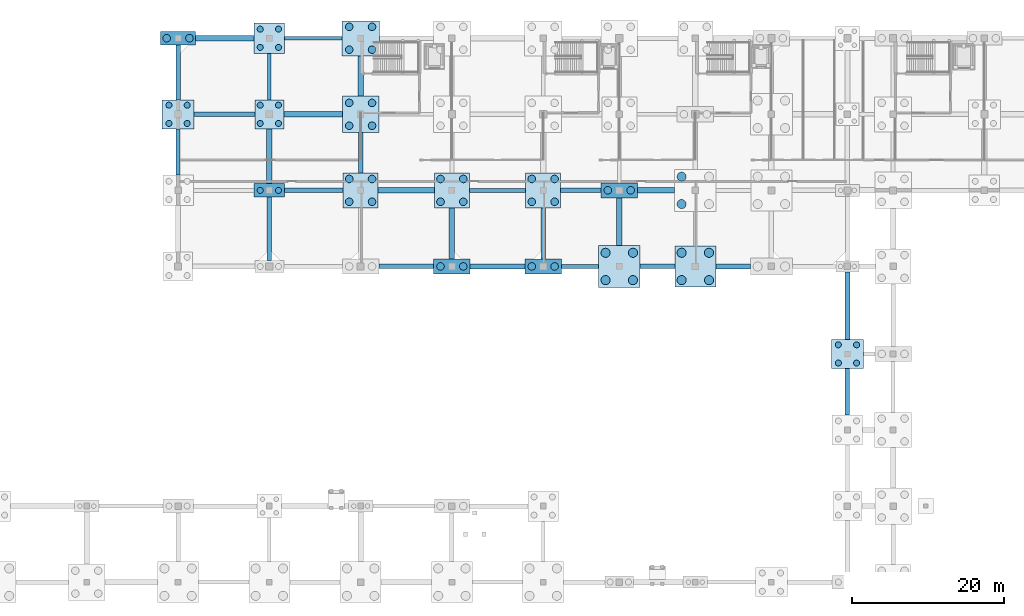
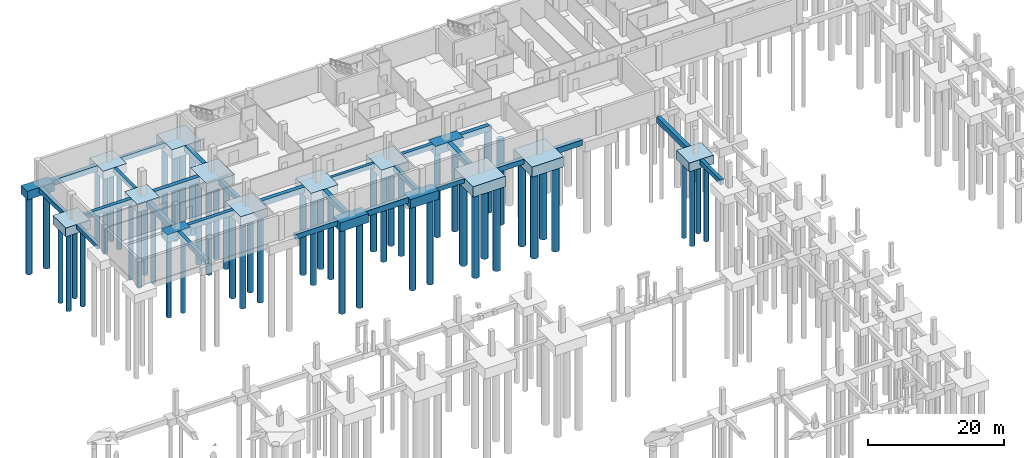
# One storey, part 4 of 19: 56 piles, 42 footings.
"""IFC4 building model written with IfcOpenShell, lengths in metres."""

from ifc_helpers import new_model, si_unit, direction, frame, origin, origin_2d, place, context, subcontext, project, spatial, polyline, rectangle, circle, outline, extrude, material, material_profile, profile_set, type_object, element, save


model = new_model("IFC4")

# Units and contexts
model_context = context("Model", 3, precision=1e-05, world=origin(), true_north=direction((0.0, 1.0)))
body_context = subcontext(model_context, "Body", "Model", "MODEL_VIEW")
ifc_project = project(units=[si_unit("LENGTHUNIT", "METRE"), si_unit("AREAUNIT", "SQUARE_METRE"), si_unit("VOLUMEUNIT", "CUBIC_METRE"), si_unit("PLANEANGLEUNIT", "RADIAN"), si_unit("MASSUNIT", "GRAM", prefix="KILO")], contexts=[model_context])

# Site, building, storey
site_placement = place(None, origin())
site = spatial("IfcSite", under=ifc_project, at=site_placement, CompositionType="ELEMENT")
building_placement = place(site_placement, origin())
building = spatial("IfcBuilding", under=site, at=building_placement, Name="Mersad Railyard Sports Hall", CompositionType="ELEMENT")
storey_placement = place(building_placement, frame((0.0, 0.0, -4.5)))
storey = spatial("IfcBuildingStorey", under=building, at=storey_placement, Name="B1", CompositionType="ELEMENT", Elevation=-4.5)

# Footings
ifc_material = material(Name="Concrete C40/50", Category="concrete")
footing_type_1 = type_object("IfcFootingType", Name="STR-FT-FB01", PredefinedType="FOOTING_BEAM", material=ifc_material)
footing_1_placement = place(storey_placement, frame((0.0, 0.0, -0.800048828125)))
element("IfcFooting", 1, at=footing_1_placement, inside=storey, type_object=footing_type_1, Name="Ground beam FB01-0061", PredefinedType="FOOTING_BEAM", context=body_context, shape_type="SweptSolid", body=[
    extrude(outline(polyline([(93.39990234375, 84.75), (98.25, 84.75), (98.25, 85.25), (93.39990234375, 85.25), (93.39990234375, 84.75)])), origin(), (0.0, 0.0, 1.0), 0.800048828125),
])
footing_2_placement = place(storey_placement, frame((0.0, 0.0, -0.800048828125)))
element("IfcFooting", 2, at=footing_2_placement, inside=storey, type_object=footing_type_1, Name="Ground beam FB01-0070", PredefinedType="FOOTING_BEAM", context=body_context, shape_type="SweptSolid", body=[
    extrude(outline(polyline([(81.300048828125, 94.75), (88.699951171875, 94.75), (88.699951171875, 95.25), (81.300048828125, 95.25), (81.300048828125, 94.75)])), origin(), (0.0, 0.0, 1.0), 0.800048828125),
])
footing_3_placement = place(storey_placement, frame((0.0, 0.0, -0.800048828125)))
element("IfcFooting", 3, at=footing_3_placement, inside=storey, type_object=footing_type_1, Name="Ground beam FB01-0094", PredefinedType="FOOTING_BEAM", context=body_context, shape_type="SweptSolid", body=[
    extrude(outline(polyline([(57.0, 114.75), (64.550048828125, 114.75), (64.550048828125, 115.25), (57.0, 115.25), (57.0, 114.75)])), origin(), (0.0, 0.0, 1.0), 0.800048828125),
])
footing_4_placement = place(storey_placement, frame((0.0, 0.0, -0.800048828125)))
element("IfcFooting", 4, at=footing_4_placement, inside=storey, type_object=footing_type_1, Name="Ground beam FB01-0115", PredefinedType="FOOTING_BEAM", context=body_context, shape_type="SweptSolid", body=[
    extrude(outline(polyline([(42.75, 97.0), (43.25, 97.0), (43.25, 103.10009765625), (42.75, 103.10009765625), (42.75, 97.0)])), origin(), (0.0, 0.0, 1.0), 0.800048828125),
])
footing_5_placement = place(storey_placement, frame((0.0, 0.0, -0.800048828125)))
element("IfcFooting", 5, at=footing_5_placement, inside=storey, type_object=footing_type_1, Name="Ground beam FB01-0121", PredefinedType="FOOTING_BEAM", context=body_context, shape_type="SweptSolid", body=[
    extrude(outline(polyline([(54.75, 106.89990234375), (55.25, 106.89990234375), (55.25, 113.0), (54.75, 113.0), (54.75, 106.89990234375)])), origin(), (0.0, 0.0, 1.0), 0.800048828125),
])
footing_type_2 = type_object("IfcFootingType", Name="STR-FT-FB02", PredefinedType="FOOTING_BEAM", material=ifc_material)
footing_6_placement = place(storey_placement, frame((0.0, 0.0, -0.89990234375)))
element("IfcFooting", 6, at=footing_6_placement, inside=storey, type_object=footing_type_2, Name="Ground beam FB02-0059", PredefinedType="FOOTING_BEAM", context=body_context, shape_type="SweptSolid", body=[
    extrude(outline(polyline([(69.39990234375, 84.699951171875), (76.60009765625, 84.699951171875), (76.60009765625, 85.300048828125), (69.39990234375, 85.300048828125), (69.39990234375, 84.699951171875)])), origin(), (0.0, 0.0, 1.0), 0.89990234375),
])
footing_7_placement = place(storey_placement, frame((0.0, 0.0, -0.89990234375)))
element("IfcFooting", 7, at=footing_7_placement, inside=storey, type_object=footing_type_2, Name="Ground beam FB02-0062", PredefinedType="FOOTING_BEAM", context=body_context, shape_type="SweptSolid", body=[
    extrude(outline(polyline([(103.75, 84.699951171875), (108.300048828125, 84.699951171875), (108.300048828125, 85.300048828125), (103.75, 85.300048828125), (103.75, 84.699951171875)])), origin(), (0.0, 0.0, 1.0), 0.89990234375),
])
footing_8_placement = place(storey_placement, frame((0.0, 0.0, -0.89990234375)))
element("IfcFooting", 8, at=footing_8_placement, inside=storey, type_object=footing_type_2, Name="Ground beam FB02-0068", PredefinedType="FOOTING_BEAM", context=body_context, shape_type="SweptSolid", body=[
    extrude(outline(polyline([(57.0, 94.699951171875), (64.699951171875, 94.699951171875), (64.699951171875, 95.300048828125), (57.0, 95.300048828125), (57.0, 94.699951171875)])), origin(), (0.0, 0.0, 1.0), 0.89990234375),
])
footing_9_placement = place(storey_placement, frame((0.0, 0.0, -0.89990234375)))
element("IfcFooting", 9, at=footing_9_placement, inside=storey, type_object=footing_type_2, Name="Ground beam FB02-0071", PredefinedType="FOOTING_BEAM", context=body_context, shape_type="SweptSolid", body=[
    extrude(outline(polyline([(93.300048828125, 94.699951171875), (98.60009765625, 94.699951171875), (98.60009765625, 95.300048828125), (93.300048828125, 95.300048828125), (93.300048828125, 94.699951171875)])), origin(), (0.0, 0.0, 1.0), 0.89990234375),
])
footing_10_placement = place(storey_placement, frame((0.0, 0.0, -0.89990234375)))
element("IfcFooting", 10, at=footing_10_placement, inside=storey, type_object=footing_type_2, Name="Ground beam FB02-0080", PredefinedType="FOOTING_BEAM", context=body_context, shape_type="SweptSolid", body=[
    extrude(outline(polyline([(45.10009765625, 104.699951171875), (53.10009765625, 104.699951171875), (53.10009765625, 105.300048828125), (45.10009765625, 105.300048828125), (45.10009765625, 104.699951171875)])), origin(), (0.0, 0.0, 1.0), 0.89990234375),
])
footing_11_placement = place(storey_placement, frame((0.0, 0.0, -0.89990234375)))
element("IfcFooting", 11, at=footing_11_placement, inside=storey, type_object=footing_type_2, Name="Ground beam FB02-0116", PredefinedType="FOOTING_BEAM", context=body_context, shape_type="SweptSolid", body=[
    extrude(outline(polyline([(42.699951171875, 106.89990234375), (43.300048828125, 106.89990234375), (43.300048828125, 114.10009765625), (42.699951171875, 114.10009765625), (42.699951171875, 106.89990234375)])), origin(), (0.0, 0.0, 1.0), 0.89990234375),
])
footing_12_placement = place(storey_placement, frame((0.0, 0.0, -0.89990234375)))
element("IfcFooting", 12, at=footing_12_placement, inside=storey, type_object=footing_type_2, Name="Ground beam FB02-0119", PredefinedType="FOOTING_BEAM", context=body_context, shape_type="SweptSolid", body=[
    extrude(outline(polyline([(54.699951171875, 85.800048828125), (55.300048828125, 85.800048828125), (55.300048828125, 94.10009765625), (54.699951171875, 94.10009765625), (54.699951171875, 85.800048828125)])), origin(), (0.0, 0.0, 1.0), 0.89990234375),
])
footing_13_placement = place(storey_placement, frame((0.0, 0.0, -0.89990234375)))
element("IfcFooting", 13, at=footing_13_placement, inside=storey, type_object=footing_type_2, Name="Ground beam FB02-0125", PredefinedType="FOOTING_BEAM", context=body_context, shape_type="SweptSolid", body=[
    extrude(outline(polyline([(66.699951171875, 97.300048828125), (67.300048828125, 97.300048828125), (67.300048828125, 102.60009765625), (66.699951171875, 102.60009765625), (66.699951171875, 97.300048828125)])), origin(), (0.0, 0.0, 1.0), 0.89990234375),
])
footing_14_placement = place(storey_placement, frame((0.0, 0.0, -0.89990234375)))
element("IfcFooting", 14, at=footing_14_placement, inside=storey, type_object=footing_type_2, Name="Ground beam FB02-0134", PredefinedType="FOOTING_BEAM", context=body_context, shape_type="SweptSolid", body=[
    extrude(outline(polyline([(90.699951171875, 86.0), (91.300048828125, 86.0), (91.300048828125, 92.699951171875), (90.699951171875, 92.699951171875), (90.699951171875, 86.0)])), origin(), (0.0, 0.0, 1.0), 0.89990234375),
])
footing_15_placement = place(storey_placement, frame((0.0, 0.0, -0.89990234375)))
element("IfcFooting", 15, at=footing_15_placement, inside=storey, type_object=footing_type_2, Name="Ground beam FB02-0155", PredefinedType="FOOTING_BEAM", context=body_context, shape_type="SweptSolid", body=[
    extrude(outline(polyline([(130.699951171875, 65.5), (131.300048828125, 65.5), (131.300048828125, 71.60009765625), (130.699951171875, 71.60009765625), (130.699951171875, 65.5)])), origin(), (0.0, 0.0, 1.0), 0.89990234375),
])
footing_type_3 = type_object("IfcFootingType", Name="STR-FT-FB03", PredefinedType="FOOTING_BEAM", material=ifc_material)
footing_16_placement = place(storey_placement, frame((0.0, 0.0, -1.0)))
element("IfcFooting", 16, at=footing_16_placement, inside=storey, type_object=footing_type_3, Name="Ground beam FB03-0060", PredefinedType="FOOTING_BEAM", context=body_context, shape_type="SweptSolid", body=[
    extrude(outline(polyline([(81.39990234375, 84.64990234375), (88.60009765625, 84.64990234375), (88.60009765625, 85.35009765625), (81.39990234375, 85.35009765625), (81.39990234375, 84.64990234375)])), origin(), (0.0, 0.0, 1.0), 1.0),
])
footing_17_placement = place(storey_placement, frame((0.0, 0.0, -1.0)))
element("IfcFooting", 17, at=footing_17_placement, inside=storey, type_object=footing_type_3, Name="Ground beam FB03-0063", PredefinedType="FOOTING_BEAM", context=body_context, shape_type="SweptSolid", body=[
    extrude(outline(polyline([(113.699951171875, 84.64990234375), (118.25, 84.64990234375), (118.25, 85.35009765625), (113.699951171875, 85.35009765625), (113.699951171875, 84.64990234375)])), origin(), (0.0, 0.0, 1.0), 1.0),
])
footing_18_placement = place(storey_placement, frame((0.0, 0.0, -1.0)))
element("IfcFooting", 18, at=footing_18_placement, inside=storey, type_object=footing_type_3, Name="Ground beam FB03-0069", PredefinedType="FOOTING_BEAM", context=body_context, shape_type="SweptSolid", body=[
    extrude(outline(polyline([(69.300048828125, 94.64990234375), (76.699951171875, 94.64990234375), (76.699951171875, 95.35009765625), (69.300048828125, 95.35009765625), (69.300048828125, 94.64990234375)])), origin(), (0.0, 0.0, 1.0), 1.0),
])
footing_19_placement = place(storey_placement, frame((0.0, 0.0, -1.0)))
element("IfcFooting", 19, at=footing_19_placement, inside=storey, type_object=footing_type_3, Name="Ground beam FB03-0072", PredefinedType="FOOTING_BEAM", context=body_context, shape_type="SweptSolid", body=[
    extrude(outline(polyline([(103.39990234375, 94.64990234375), (108.25, 94.64990234375), (108.25, 95.35009765625), (103.39990234375, 95.35009765625), (103.39990234375, 94.64990234375)])), origin(), (0.0, 0.0, 1.0), 1.0),
])
footing_20_placement = place(storey_placement, frame((0.0, 0.0, -1.0)))
element("IfcFooting", 20, at=footing_20_placement, inside=storey, type_object=footing_type_3, Name="Ground beam FB03-0081", PredefinedType="FOOTING_BEAM", context=body_context, shape_type="SweptSolid", body=[
    extrude(outline(polyline([(56.89990234375, 104.64990234375), (64.60009765625, 104.64990234375), (64.60009765625, 105.35009765625), (56.89990234375, 105.35009765625), (56.89990234375, 104.64990234375)])), origin(), (0.0, 0.0, 1.0), 1.0),
])
footing_21_placement = place(storey_placement, frame((0.0, 0.0, -1.0)))
element("IfcFooting", 21, at=footing_21_placement, inside=storey, type_object=footing_type_3, Name="Ground beam FB03-0093", PredefinedType="FOOTING_BEAM", context=body_context, shape_type="SweptSolid", body=[
    extrude(outline(polyline([(45.300048828125, 114.64990234375), (53.0, 114.64990234375), (53.0, 115.35009765625), (45.300048828125, 115.35009765625), (45.300048828125, 114.64990234375)])), origin(), (0.0, 0.0, 1.0), 1.0),
])
footing_22_placement = place(storey_placement, frame((0.0, 0.0, -1.0)))
element("IfcFooting", 22, at=footing_22_placement, inside=storey, type_object=footing_type_3, Name="Ground beam FB03-0120", PredefinedType="FOOTING_BEAM", context=body_context, shape_type="SweptSolid", body=[
    extrude(outline(polyline([(54.64990234375, 95.89990234375), (55.35009765625, 95.89990234375), (55.35009765625, 103.10009765625), (54.64990234375, 103.10009765625), (54.64990234375, 95.89990234375)])), origin(), (0.0, 0.0, 1.0), 1.0),
])
footing_23_placement = place(storey_placement, frame((0.0, 0.0, -1.0)))
element("IfcFooting", 23, at=footing_23_placement, inside=storey, type_object=footing_type_3, Name="Ground beam FB03-0126", PredefinedType="FOOTING_BEAM", context=body_context, shape_type="SweptSolid", body=[
    extrude(outline(polyline([(66.64990234375, 107.39990234375), (67.35009765625, 107.39990234375), (67.35009765625, 112.699951171875), (66.64990234375, 112.699951171875), (66.64990234375, 107.39990234375)])), origin(), (0.0, 0.0, 1.0), 1.0),
])
footing_24_placement = place(storey_placement, frame((0.0, 0.0, -1.0)))
element("IfcFooting", 24, at=footing_24_placement, inside=storey, type_object=footing_type_3, Name="Ground beam FB03-0129", PredefinedType="FOOTING_BEAM", context=body_context, shape_type="SweptSolid", body=[
    extrude(outline(polyline([(78.64990234375, 86.0), (79.35009765625, 86.0), (79.35009765625, 92.699951171875), (78.64990234375, 92.699951171875), (78.64990234375, 86.0)])), origin(), (0.0, 0.0, 1.0), 1.0),
])
footing_25_placement = place(storey_placement, frame((0.0, 0.0, -1.0)))
element("IfcFooting", 25, at=footing_25_placement, inside=storey, type_object=footing_type_3, Name="Ground beam FB03-0138", PredefinedType="FOOTING_BEAM", context=body_context, shape_type="SweptSolid", body=[
    extrude(outline(polyline([(100.64990234375, 87.75), (101.35009765625, 87.75), (101.35009765625, 94.0), (100.64990234375, 94.0), (100.64990234375, 87.75)])), origin(), (0.0, 0.0, 1.0), 1.0),
])
footing_26_placement = place(storey_placement, frame((0.0, 0.0, -1.0)))
element("IfcFooting", 26, at=footing_26_placement, inside=storey, type_object=footing_type_3, Name="Ground beam FB03-0156", PredefinedType="FOOTING_BEAM", context=body_context, shape_type="SweptSolid", body=[
    extrude(outline(polyline([(130.64990234375, 75.39990234375), (131.35009765625, 75.39990234375), (131.35009765625, 84.300048828125), (130.64990234375, 84.300048828125), (130.64990234375, 75.39990234375)])), origin(), (0.0, 0.0, 1.0), 1.0),
])
footing_type_4 = type_object("IfcFootingType", Name="STR-FT-PC06", PredefinedType="PILE_CAP", material=ifc_material)
footing_27_placement = place(storey_placement, frame((55.0, 95.0, -1.4501953125), z_axis=(0.0, 0.0, 1.0), x_axis=(1.0, 0.0, 0.0)))
element("IfcFooting", 27, at=footing_27_placement, inside=storey, type_object=footing_type_4, Name="Pile cap PC06 at (55.0,95.0)", PredefinedType="PILE_CAP", context=body_context, shape_type="SweptSolid", body=[
    extrude(rectangle(XDim=4.0, YDim=1.800048828125, at=origin_2d()), origin(), (0.0, 0.0, 1.0), 1.449951171875),
])
footing_type_5 = type_object("IfcFootingType", Name="STR-FT-PC07", PredefinedType="PILE_CAP", material=ifc_material)
footing_28_placement = place(storey_placement, frame((55.0, 105.0, -1.5), z_axis=(0.0, 0.0, 1.0), x_axis=(1.0, 0.0, 0.0)))
element("IfcFooting", 28, at=footing_28_placement, inside=storey, type_object=footing_type_5, Name="Pile cap PC07 at (55.0,105.0)", PredefinedType="PILE_CAP", context=body_context, shape_type="SweptSolid", body=[
    extrude(rectangle(XDim=3.800048828125, YDim=3.800048828125, at=origin_2d()), origin(), (0.0, 0.0, 1.0), 1.5),
])
footing_type_6 = type_object("IfcFootingType", Name="STR-FT-PC08", PredefinedType="PILE_CAP", material=ifc_material)
footing_29_placement = place(storey_placement, frame((55.0, 115.0, -1.5498046875), z_axis=(0.0, 0.0, 1.0), x_axis=(1.0, 0.0, 0.0)))
element("IfcFooting", 29, at=footing_29_placement, inside=storey, type_object=footing_type_6, Name="Pile cap PC08 at (55.0,115.0)", PredefinedType="PILE_CAP", context=body_context, shape_type="SweptSolid", body=[
    extrude(rectangle(XDim=4.0, YDim=4.0, at=origin_2d()), origin(), (0.0, 0.0, 1.0), 1.550048828125),
])
footing_type_7 = type_object("IfcFootingType", Name="STR-FT-PC09", PredefinedType="PILE_CAP", material=ifc_material)
for number, where, z_axis, x_axis, name in (
    (30, (43.0, 105.0, -1.60009765625), (0.0, 0.0, 1.0), (1.0, 0.0, 0.0), "Pile cap PC09 at (43.0,105.0)"),
    (31, (131.0, 73.5, -1.60009765625), (0.0, 0.0, 1.0), (1.0, 0.0, 0.0), "Pile cap PC09 at (131.0,73.5)"),
):
    element("IfcFooting", number, at=place(storey_placement, frame(where, z_axis=z_axis, x_axis=x_axis)), inside=storey, type_object=footing_type_7, Name=name, PredefinedType="PILE_CAP", context=body_context, shape_type="SweptSolid", body=[
        extrude(rectangle(XDim=4.199951171875, YDim=3.800048828125, at=origin_2d()), origin(), (0.0, 0.0, 1.0), 1.60009765625),
    ])
footing_type_8 = type_object("IfcFootingType", Name="STR-FT-PC10", PredefinedType="PILE_CAP", material=ifc_material)
footing_30_placement = place(storey_placement, frame((43.0, 115.0, -1.5498046875), z_axis=(0.0, 0.0, 1.0), x_axis=(1.0, 0.0, 0.0)))
element("IfcFooting", 32, at=footing_30_placement, inside=storey, type_object=footing_type_8, Name="Pile cap PC10 at (43.0,115.0)", PredefinedType="PILE_CAP", context=body_context, shape_type="SweptSolid", body=[
    extrude(rectangle(XDim=4.60009765625, YDim=1.800048828125, at=origin_2d()), origin(), (0.0, 0.0, 1.0), 1.550048828125),
])
footing_type_9 = type_object("IfcFootingType", Name="STR-FT-PC11", PredefinedType="PILE_CAP", material=ifc_material)
for number, where, z_axis, x_axis, name in (
    (33, (79.0, 85.0, -1.60009765625), (0.0, 0.0, 1.0), (1.0, 0.0, 0.0), "Pile cap PC11 at (79.0,85.0)"),
    (34, (91.0, 85.0, -1.60009765625), (0.0, 0.0, 1.0), (1.0, 0.0, 0.0), "Pile cap PC11 at (91.0,85.0)"),
    (35, (101.0, 95.0, -1.60009765625), (0.0, 0.0, 1.0), (1.0, 0.0, 0.0), "Pile cap PC11 at (101.0,95.0)"),
):
    element("IfcFooting", number, at=place(storey_placement, frame(where, z_axis=z_axis, x_axis=x_axis)), inside=storey, type_object=footing_type_9, Name=name, PredefinedType="PILE_CAP", context=body_context, shape_type="SweptSolid", body=[
        extrude(rectangle(XDim=4.800048828125, YDim=2.0, at=origin_2d()), origin(), (0.0, 0.0, 1.0), 1.60009765625),
    ])
footing_type_10 = type_object("IfcFootingType", Name="STR-FT-PC12", PredefinedType="PILE_CAP", material=ifc_material)
for number, where, z_axis, x_axis, name in (
    (36, (67.0, 95.0, -1.64990234375), (0.0, 0.0, 1.0), (1.0, 0.0, 0.0), "Pile cap PC12 at (67.0,95.0)"),
    (37, (79.0, 95.0, -1.64990234375), (0.0, 0.0, 1.0), (1.0, 0.0, 0.0), "Pile cap PC12 at (79.0,95.0)"),
    (38, (91.0, 95.0, -1.64990234375), (0.0, 0.0, 1.0), (1.0, 0.0, 0.0), "Pile cap PC12 at (91.0,95.0)"),
):
    element("IfcFooting", number, at=place(storey_placement, frame(where, z_axis=z_axis, x_axis=x_axis)), inside=storey, type_object=footing_type_10, Name=name, PredefinedType="PILE_CAP", context=body_context, shape_type="SweptSolid", body=[
        extrude(rectangle(XDim=4.60009765625, YDim=4.60009765625, at=origin_2d()), origin(), (0.0, 0.0, 1.0), 1.64990234375),
    ])
footing_type_11 = type_object("IfcFootingType", Name="STR-FT-PC13", PredefinedType="PILE_CAP", material=ifc_material)
footing_31_placement = place(storey_placement, frame((67.0, 105.0, -1.7001953125), z_axis=(0.0, 0.0, 1.0), x_axis=(1.0, 0.0, 0.0)))
element("IfcFooting", 39, at=footing_31_placement, inside=storey, type_object=footing_type_11, Name="Pile cap PC13 at (67.0,105.0)", PredefinedType="PILE_CAP", context=body_context, shape_type="SweptSolid", body=[
    extrude(rectangle(XDim=4.800048828125, YDim=4.800048828125, at=origin_2d()), origin(), (0.0, 0.0, 1.0), 1.699951171875),
])
footing_type_12 = type_object("IfcFootingType", Name="STR-FT-PC14", PredefinedType="PILE_CAP", material=ifc_material)
footing_32_placement = place(storey_placement, frame((67.0, 115.0, -1.75), z_axis=(0.0, 0.0, 1.0), x_axis=(1.0, 0.0, 0.0)))
element("IfcFooting", 40, at=footing_32_placement, inside=storey, type_object=footing_type_12, Name="Pile cap PC14 at (67.0,115.0)", PredefinedType="PILE_CAP", context=body_context, shape_type="SweptSolid", body=[
    extrude(rectangle(XDim=4.89990234375, YDim=4.60009765625, at=origin_2d()), origin(), (0.0, 0.0, 1.0), 1.75),
])
footing_type_13 = type_object("IfcFootingType", Name="STR-FT-PC17", PredefinedType="PILE_CAP", material=ifc_material)
footing_33_placement = place(storey_placement, frame((111.0, 85.0, -1.85009765625), z_axis=(0.0, 0.0, 1.0), x_axis=(1.0, 0.0, 0.0)))
element("IfcFooting", 41, at=footing_33_placement, inside=storey, type_object=footing_type_13, Name="Pile cap PC17 at (111.0,85.0)", PredefinedType="PILE_CAP", context=body_context, shape_type="SweptSolid", body=[
    extrude(rectangle(XDim=5.39990234375, YDim=5.39990234375, at=origin_2d()), origin(), (0.0, 0.0, 1.0), 1.85009765625),
])
footing_type_14 = type_object("IfcFootingType", Name="STR-FT-PC18", PredefinedType="PILE_CAP", material=ifc_material)
footing_34_placement = place(storey_placement, frame((101.0, 85.0, -1.89990234375), z_axis=(0.0, 0.0, 1.0), x_axis=(1.0, 0.0, 0.0)))
element("IfcFooting", 42, at=footing_34_placement, inside=storey, type_object=footing_type_14, Name="Pile cap PC18 at (101.0,85.0)", PredefinedType="PILE_CAP", context=body_context, shape_type="SweptSolid", body=[
    extrude(rectangle(XDim=5.5, YDim=5.5, at=origin_2d()), origin(), (0.0, 0.0, 1.0), 1.89990234375),
])

# Piles
ifc_material_profile_1 = material_profile(ifc_material, circle(Radius=0.5, at=origin_2d()), Name="BORED PILE D1000")
ifc_profile_set_1 = profile_set([ifc_material_profile_1], Name="Concrete C40/50")
pile_type_1 = type_object("IfcPileType", Name="STR-PL-P1000", PredefinedType="BORED", material=ifc_profile_set_1)
for number, where, z_axis, x_axis, name in (
    (43, (41.5, 115.0, -1.39990234375), (0.0, 0.0, -1.0), (1.0, 0.0, 0.0), "Bored pile PL03-0065"),
    (44, (44.5, 115.0, -1.39990234375), (0.0, 0.0, -1.0), (1.0, 0.0, 0.0), "Bored pile PL03-0066"),
):
    element("IfcPile", number, at=place(storey_placement, frame(where, z_axis=z_axis, x_axis=x_axis)), inside=storey, type_object=pile_type_1, Name=name, PredefinedType="BORED", context=body_context, shape_type="SweptSolid", body=[
        extrude(circle(Radius=0.5, at=origin_2d()), origin(), (0.0, 0.0, 1.0), 14.10009765625),
    ])
for number, where, z_axis, x_axis, name in (
    (45, (65.5, 93.5, -1.5), (0.0, 0.0, -1.0), (1.0, 0.0, 0.0), "Bored pile PL03-0105"),
    (46, (68.5, 93.5, -1.5), (0.0, 0.0, -1.0), (1.0, 0.0, 0.0), "Bored pile PL03-0106"),
    (47, (65.5, 96.5, -1.5), (0.0, 0.0, -1.0), (1.0, 0.0, 0.0), "Bored pile PL03-0107"),
    (48, (68.5, 96.5, -1.5), (0.0, 0.0, -1.0), (1.0, 0.0, 0.0), "Bored pile PL03-0108"),
):
    element("IfcPile", number, at=place(storey_placement, frame(where, z_axis=z_axis, x_axis=x_axis)), inside=storey, type_object=pile_type_1, Name=name, PredefinedType="BORED", context=body_context, shape_type="SweptSolid", body=[
        extrude(circle(Radius=0.5, at=origin_2d()), origin(), (0.0, 0.0, 1.0), 15.5),
    ])
for number, where, z_axis, x_axis, name in (
    (49, (65.5, 103.5, -1.550048828125), (0.0, 0.0, -1.0), (1.0, 0.0, 0.0), "Bored pile PL03-0109"),
    (50, (68.5, 103.5, -1.550048828125), (0.0, 0.0, -1.0), (1.0, 0.0, 0.0), "Bored pile PL03-0110"),
    (51, (65.5, 106.5, -1.550048828125), (0.0, 0.0, -1.0), (1.0, 0.0, 0.0), "Bored pile PL03-0111"),
    (52, (68.5, 106.5, -1.550048828125), (0.0, 0.0, -1.0), (1.0, 0.0, 0.0), "Bored pile PL03-0112"),
):
    element("IfcPile", number, at=place(storey_placement, frame(where, z_axis=z_axis, x_axis=x_axis)), inside=storey, type_object=pile_type_1, Name=name, PredefinedType="BORED", context=body_context, shape_type="SweptSolid", body=[
        extrude(circle(Radius=0.5, at=origin_2d()), origin(), (0.0, 0.0, 1.0), 15.449951171875),
    ])
for number, where, z_axis, x_axis, name in (
    (53, (65.5, 113.5, -1.60009765625), (0.0, 0.0, -1.0), (1.0, 0.0, 0.0), "Bored pile PL03-0113"),
    (54, (68.5, 113.5, -1.60009765625), (0.0, 0.0, -1.0), (1.0, 0.0, 0.0), "Bored pile PL03-0114"),
    (55, (65.5, 116.5, -1.60009765625), (0.0, 0.0, -1.0), (1.0, 0.0, 0.0), "Bored pile PL03-0115"),
    (56, (68.5, 116.5, -1.60009765625), (0.0, 0.0, -1.0), (1.0, 0.0, 0.0), "Bored pile PL03-0116"),
):
    element("IfcPile", number, at=place(storey_placement, frame(where, z_axis=z_axis, x_axis=x_axis)), inside=storey, type_object=pile_type_1, Name=name, PredefinedType="BORED", context=body_context, shape_type="SweptSolid", body=[
        extrude(circle(Radius=0.5, at=origin_2d()), origin(), (0.0, 0.0, 1.0), 15.39990234375),
    ])
for number, where, z_axis, x_axis, name in (
    (57, (77.5, 85.0, -1.449951171875), (0.0, 0.0, -1.0), (1.0, 0.0, 0.0), "Bored pile PL03-0129"),
    (58, (80.5, 85.0, -1.449951171875), (0.0, 0.0, -1.0), (1.0, 0.0, 0.0), "Bored pile PL03-0130"),
):
    element("IfcPile", number, at=place(storey_placement, frame(where, z_axis=z_axis, x_axis=x_axis)), inside=storey, type_object=pile_type_1, Name=name, PredefinedType="BORED", context=body_context, shape_type="SweptSolid", body=[
        extrude(circle(Radius=0.5, at=origin_2d()), origin(), (0.0, 0.0, 1.0), 15.550048828125),
    ])
for number, where, z_axis, x_axis, name in (
    (59, (77.5, 93.5, -1.5), (0.0, 0.0, -1.0), (1.0, 0.0, 0.0), "Bored pile PL03-0131"),
    (60, (80.5, 93.5, -1.5), (0.0, 0.0, -1.0), (1.0, 0.0, 0.0), "Bored pile PL03-0132"),
    (61, (77.5, 96.5, -1.5), (0.0, 0.0, -1.0), (1.0, 0.0, 0.0), "Bored pile PL03-0133"),
    (62, (80.5, 96.5, -1.5), (0.0, 0.0, -1.0), (1.0, 0.0, 0.0), "Bored pile PL03-0134"),
):
    element("IfcPile", number, at=place(storey_placement, frame(where, z_axis=z_axis, x_axis=x_axis)), inside=storey, type_object=pile_type_1, Name=name, PredefinedType="BORED", context=body_context, shape_type="SweptSolid", body=[
        extrude(circle(Radius=0.5, at=origin_2d()), origin(), (0.0, 0.0, 1.0), 15.5),
    ])
for number, where, z_axis, x_axis, name in (
    (63, (89.5, 85.0, -1.449951171875), (0.0, 0.0, -1.0), (1.0, 0.0, 0.0), "Bored pile PL03-0155"),
    (64, (92.5, 85.0, -1.449951171875), (0.0, 0.0, -1.0), (1.0, 0.0, 0.0), "Bored pile PL03-0156"),
):
    element("IfcPile", number, at=place(storey_placement, frame(where, z_axis=z_axis, x_axis=x_axis)), inside=storey, type_object=pile_type_1, Name=name, PredefinedType="BORED", context=body_context, shape_type="SweptSolid", body=[
        extrude(circle(Radius=0.5, at=origin_2d()), origin(), (0.0, 0.0, 1.0), 15.550048828125),
    ])
for number, where, z_axis, x_axis, name in (
    (65, (89.5, 93.5, -1.5), (0.0, 0.0, -1.0), (1.0, 0.0, 0.0), "Bored pile PL03-0157"),
    (66, (92.5, 93.5, -1.5), (0.0, 0.0, -1.0), (1.0, 0.0, 0.0), "Bored pile PL03-0158"),
    (67, (89.5, 96.5, -1.5), (0.0, 0.0, -1.0), (1.0, 0.0, 0.0), "Bored pile PL03-0159"),
    (68, (92.5, 96.5, -1.5), (0.0, 0.0, -1.0), (1.0, 0.0, 0.0), "Bored pile PL03-0160"),
):
    element("IfcPile", number, at=place(storey_placement, frame(where, z_axis=z_axis, x_axis=x_axis)), inside=storey, type_object=pile_type_1, Name=name, PredefinedType="BORED", context=body_context, shape_type="SweptSolid", body=[
        extrude(circle(Radius=0.5, at=origin_2d()), origin(), (0.0, 0.0, 1.0), 15.5),
    ])
for number, where, z_axis, x_axis, name in (
    (69, (99.5, 95.0, -1.449951171875), (0.0, 0.0, -1.0), (1.0, 0.0, 0.0), "Bored pile PL03-0179"),
    (70, (102.5, 95.0, -1.449951171875), (0.0, 0.0, -1.0), (1.0, 0.0, 0.0), "Bored pile PL03-0180"),
):
    element("IfcPile", number, at=place(storey_placement, frame(where, z_axis=z_axis, x_axis=x_axis)), inside=storey, type_object=pile_type_1, Name=name, PredefinedType="BORED", context=body_context, shape_type="SweptSolid", body=[
        extrude(circle(Radius=0.5, at=origin_2d()), origin(), (0.0, 0.0, 1.0), 15.550048828125),
    ])
ifc_material_profile_2 = material_profile(ifc_material, circle(Radius=0.60009765625, at=origin_2d()), Name="BORED PILE D1200")
ifc_profile_set_2 = profile_set([ifc_material_profile_2], Name="Concrete C40/50")
pile_type_2 = type_object("IfcPileType", Name="STR-PL-P1200", PredefinedType="BORED", material=ifc_profile_set_2)
for number, where, z_axis, x_axis, name in (
    (71, (99.199951171875, 83.199951171875, -1.75), (0.0, 0.0, -1.0), (1.0, 0.0, 0.0), "Bored pile PL04-0175"),
    (72, (102.800048828125, 83.199951171875, -1.75), (0.0, 0.0, -1.0), (1.0, 0.0, 0.0), "Bored pile PL04-0176"),
    (73, (99.199951171875, 86.800048828125, -1.75), (0.0, 0.0, -1.0), (1.0, 0.0, 0.0), "Bored pile PL04-0177"),
    (74, (102.800048828125, 86.800048828125, -1.75), (0.0, 0.0, -1.0), (1.0, 0.0, 0.0), "Bored pile PL04-0178"),
):
    element("IfcPile", number, at=place(storey_placement, frame(where, z_axis=z_axis, x_axis=x_axis)), inside=storey, type_object=pile_type_2, Name=name, PredefinedType="BORED", context=body_context, shape_type="SweptSolid", body=[
        extrude(circle(Radius=0.60009765625, at=origin_2d()), origin(), (0.0, 0.0, 1.0), 15.25),
    ])
for number, where, z_axis, x_axis, name in (
    (75, (109.199951171875, 83.199951171875, -1.699951171875), (0.0, 0.0, -1.0), (1.0, 0.0, 0.0), "Bored pile PL04-0193"),
    (76, (112.800048828125, 83.199951171875, -1.699951171875), (0.0, 0.0, -1.0), (1.0, 0.0, 0.0), "Bored pile PL04-0194"),
    (77, (109.199951171875, 86.800048828125, -1.699951171875), (0.0, 0.0, -1.0), (1.0, 0.0, 0.0), "Bored pile PL04-0195"),
    (78, (112.800048828125, 86.800048828125, -1.699951171875), (0.0, 0.0, -1.0), (1.0, 0.0, 0.0), "Bored pile PL04-0196"),
):
    element("IfcPile", number, at=place(storey_placement, frame(where, z_axis=z_axis, x_axis=x_axis)), inside=storey, type_object=pile_type_2, Name=name, PredefinedType="BORED", context=body_context, shape_type="SweptSolid", body=[
        extrude(circle(Radius=0.60009765625, at=origin_2d()), origin(), (0.0, 0.0, 1.0), 15.300048828125),
    ])
for number, where, z_axis, x_axis, name in (
    (79, (109.199951171875, 93.199951171875, -1.75), (0.0, 0.0, -1.0), (1.0, 0.0, 0.0), "Bored pile PL04-0197"),
    (80, (109.199951171875, 96.800048828125, -1.75), (0.0, 0.0, -1.0), (1.0, 0.0, 0.0), "Bored pile PL04-0199"),
):
    element("IfcPile", number, at=place(storey_placement, frame(where, z_axis=z_axis, x_axis=x_axis)), inside=storey, type_object=pile_type_2, Name=name, PredefinedType="BORED", context=body_context, shape_type="SweptSolid", body=[
        extrude(circle(Radius=0.60009765625, at=origin_2d()), origin(), (0.0, 0.0, 1.0), 15.25),
    ])
ifc_material_profile_3 = material_profile(ifc_material, circle(Radius=0.39990234375, at=origin_2d()), Name="BORED PILE D800")
ifc_profile_set_3 = profile_set([ifc_material_profile_3], Name="Concrete C40/50")
pile_type_3 = type_object("IfcPileType", Name="STR-PL-P800", PredefinedType="BORED", material=ifc_profile_set_3)
for number, where, z_axis, x_axis, name in (
    (81, (41.800048828125, 103.800048828125, -1.449951171875), (0.0, 0.0, -1.0), (1.0, 0.0, 0.0), "Bored pile PL02-0061"),
    (82, (44.199951171875, 103.800048828125, -1.449951171875), (0.0, 0.0, -1.0), (1.0, 0.0, 0.0), "Bored pile PL02-0062"),
    (83, (41.800048828125, 106.199951171875, -1.449951171875), (0.0, 0.0, -1.0), (1.0, 0.0, 0.0), "Bored pile PL02-0063"),
    (84, (44.199951171875, 106.199951171875, -1.449951171875), (0.0, 0.0, -1.0), (1.0, 0.0, 0.0), "Bored pile PL02-0064"),
):
    element("IfcPile", number, at=place(storey_placement, frame(where, z_axis=z_axis, x_axis=x_axis)), inside=storey, type_object=pile_type_3, Name=name, PredefinedType="BORED", context=body_context, shape_type="SweptSolid", body=[
        extrude(circle(Radius=0.39990234375, at=origin_2d()), origin(), (0.0, 0.0, 1.0), 14.050048828125),
    ])
for number, where, z_axis, x_axis, name in (
    (85, (53.800048828125, 95.0, -1.300048828125), (0.0, 0.0, -1.0), (1.0, 0.0, 0.0), "Bored pile PL02-0081"),
    (86, (56.199951171875, 95.0, -1.300048828125), (0.0, 0.0, -1.0), (1.0, 0.0, 0.0), "Bored pile PL02-0082"),
):
    element("IfcPile", number, at=place(storey_placement, frame(where, z_axis=z_axis, x_axis=x_axis)), inside=storey, type_object=pile_type_3, Name=name, PredefinedType="BORED", context=body_context, shape_type="SweptSolid", body=[
        extrude(circle(Radius=0.39990234375, at=origin_2d()), origin(), (0.0, 0.0, 1.0), 14.199951171875),
    ])
for number, where, z_axis, x_axis, name in (
    (87, (53.800048828125, 103.800048828125, -1.35009765625), (0.0, 0.0, -1.0), (1.0, 0.0, 0.0), "Bored pile PL02-0083"),
    (88, (56.199951171875, 103.800048828125, -1.35009765625), (0.0, 0.0, -1.0), (1.0, 0.0, 0.0), "Bored pile PL02-0084"),
    (89, (53.800048828125, 106.199951171875, -1.35009765625), (0.0, 0.0, -1.0), (1.0, 0.0, 0.0), "Bored pile PL02-0085"),
    (90, (56.199951171875, 106.199951171875, -1.35009765625), (0.0, 0.0, -1.0), (1.0, 0.0, 0.0), "Bored pile PL02-0086"),
):
    element("IfcPile", number, at=place(storey_placement, frame(where, z_axis=z_axis, x_axis=x_axis)), inside=storey, type_object=pile_type_3, Name=name, PredefinedType="BORED", context=body_context, shape_type="SweptSolid", body=[
        extrude(circle(Radius=0.39990234375, at=origin_2d()), origin(), (0.0, 0.0, 1.0), 14.14990234375),
    ])
for number, where, z_axis, x_axis, name in (
    (91, (53.800048828125, 113.800048828125, -1.39990234375), (0.0, 0.0, -1.0), (1.0, 0.0, 0.0), "Bored pile PL02-0087"),
    (92, (56.199951171875, 113.800048828125, -1.39990234375), (0.0, 0.0, -1.0), (1.0, 0.0, 0.0), "Bored pile PL02-0088"),
    (93, (53.800048828125, 116.199951171875, -1.39990234375), (0.0, 0.0, -1.0), (1.0, 0.0, 0.0), "Bored pile PL02-0089"),
    (94, (56.199951171875, 116.199951171875, -1.39990234375), (0.0, 0.0, -1.0), (1.0, 0.0, 0.0), "Bored pile PL02-0090"),
):
    element("IfcPile", number, at=place(storey_placement, frame(where, z_axis=z_axis, x_axis=x_axis)), inside=storey, type_object=pile_type_3, Name=name, PredefinedType="BORED", context=body_context, shape_type="SweptSolid", body=[
        extrude(circle(Radius=0.39990234375, at=origin_2d()), origin(), (0.0, 0.0, 1.0), 14.10009765625),
    ])
for number, where, z_axis, x_axis, name in (
    (95, (129.800048828125, 72.300048828125, -1.449951171875), (0.0, 0.0, -1.0), (1.0, 0.0, 0.0), "Bored pile PL02-0249"),
    (96, (132.199951171875, 72.300048828125, -1.449951171875), (0.0, 0.0, -1.0), (1.0, 0.0, 0.0), "Bored pile PL02-0250"),
    (97, (129.800048828125, 74.699951171875, -1.449951171875), (0.0, 0.0, -1.0), (1.0, 0.0, 0.0), "Bored pile PL02-0251"),
    (98, (132.199951171875, 74.699951171875, -1.449951171875), (0.0, 0.0, -1.0), (1.0, 0.0, 0.0), "Bored pile PL02-0252"),
):
    element("IfcPile", number, at=place(storey_placement, frame(where, z_axis=z_axis, x_axis=x_axis)), inside=storey, type_object=pile_type_3, Name=name, PredefinedType="BORED", context=body_context, shape_type="SweptSolid", body=[
        extrude(circle(Radius=0.39990234375, at=origin_2d()), origin(), (0.0, 0.0, 1.0), 14.050048828125),
    ])

save(model, "model.ifc")
